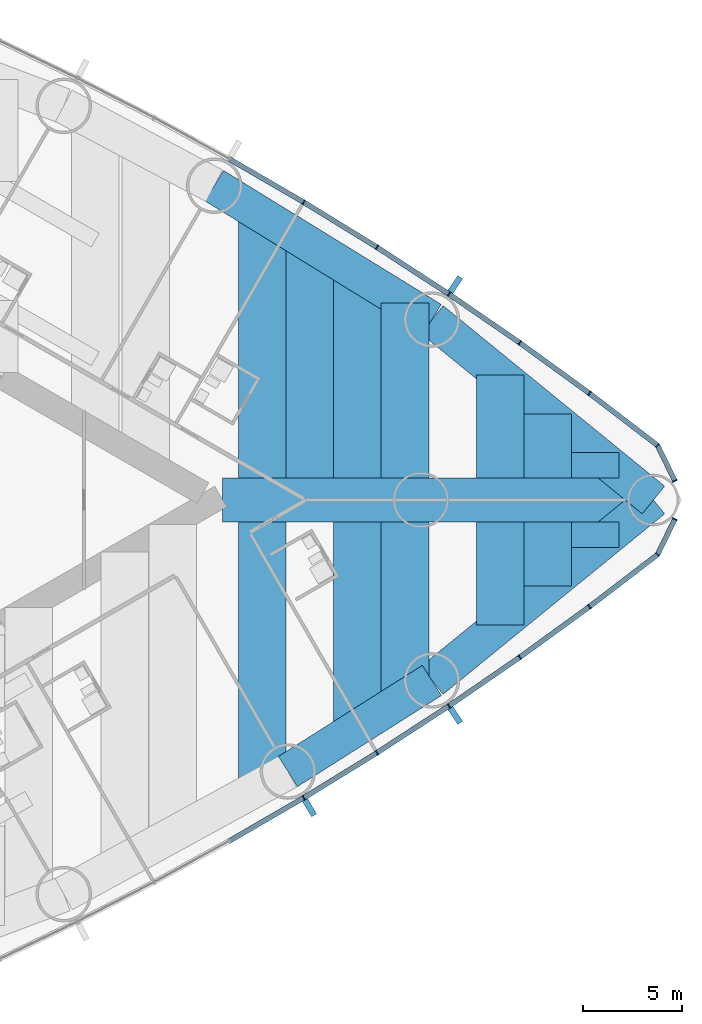
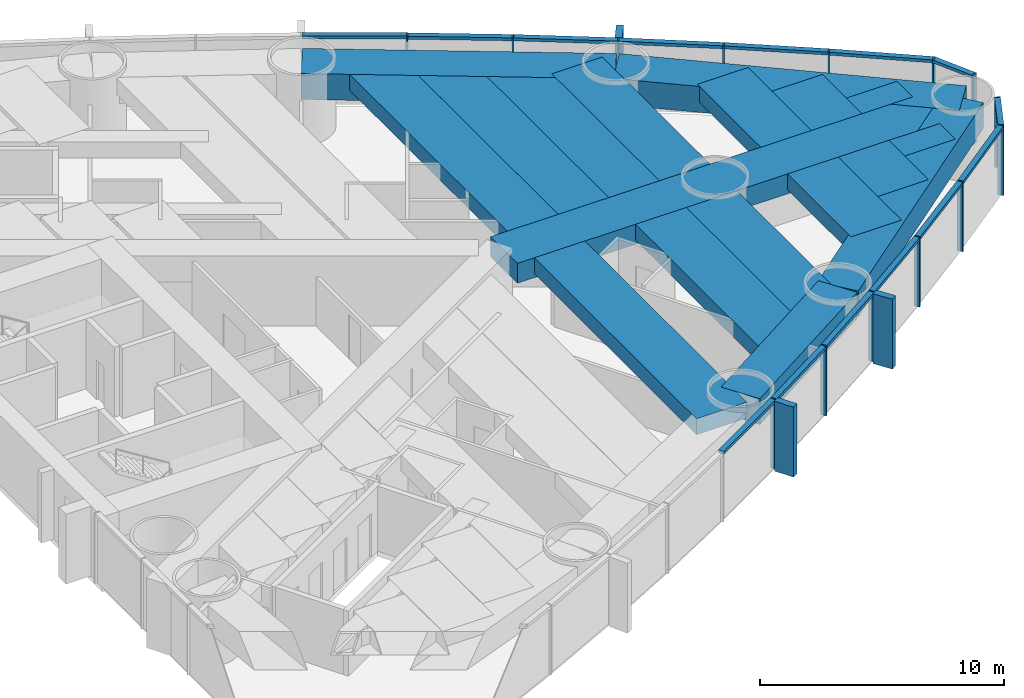
# One storey, part 8 of 19: 31 members, 18 beams, 2 elements without a shape of their own.
"""IFC4 building model written with IfcOpenShell, lengths in metres."""

from ifc_helpers import new_model, si_unit, direction, frame, origin, origin_2d, place, context, subcontext, project, spatial, rectangle, extrude, material, material_profile, profile_set, type_object, element, aggregate, save


model = new_model("IFC4")

# Units and contexts
model_context = context("Model", 3, precision=1e-05, world=origin(), true_north=direction((0.0, 1.0)))
body_context = subcontext(model_context, "Body", "Model", "MODEL_VIEW")
ifc_project = project(units=[si_unit("LENGTHUNIT", "METRE"), si_unit("AREAUNIT", "SQUARE_METRE"), si_unit("VOLUMEUNIT", "CUBIC_METRE"), si_unit("PLANEANGLEUNIT", "RADIAN"), si_unit("MASSUNIT", "GRAM", prefix="KILO")], contexts=[model_context])

# Site, building, storey
site_placement = place(None, origin())
site = spatial("IfcSite", under=ifc_project, at=site_placement, CompositionType="ELEMENT")
building_placement = place(site_placement, origin())
building = spatial("IfcBuilding", under=site, at=building_placement, Name="Lancet Gate Hotel", CompositionType="ELEMENT")
storey_placement = place(building_placement, frame((0.0, 0.0, 60.0)))
storey = spatial("IfcBuildingStorey", under=building, at=storey_placement, Name="L15", CompositionType="ELEMENT", Elevation=60.0)

# Curtain wall, members
ifc_material_1 = material(Name="Aluminium curtain wall", Category="aluminium")
curtain_wall_type = type_object("IfcCurtainWallType", Name="Tower unitised curtain wall", PredefinedType="USERDEFINED", material=ifc_material_1)
curtain_wall_1_placement = place(storey_placement, origin())
curtain_wall_1 = element("IfcCurtainWall", 1, at=curtain_wall_1_placement, inside=storey, type_object=curtain_wall_type, Name="T2 L15 curtain wall 2", ObjectType="UNITISED CURTAIN WALL", PredefinedType="USERDEFINED")
ifc_material_2 = material(Name="Aluminium mullion", Category="aluminium")
ifc_material_profile_1 = material_profile(ifc_material_2, rectangle(XDim=0.06494140625, YDim=0.25, at=origin_2d()), Name="MULLION 65x250")
ifc_profile_set_1 = profile_set([ifc_material_profile_1], Name="Aluminium mullion")
member_type_1 = type_object("IfcMemberType", Name="Aluminium mullion 65x250", PredefinedType="MULLION", material=ifc_profile_set_1)
member_1_placement = place(storey_placement, frame((55.590087890625, -15.03125, 0.0), z_axis=(0.0, 0.0, 1.0), x_axis=(0.858413008828, 0.512959166284, 0.0)))
member_1 = element("IfcMember", 2, at=member_1_placement, type_object=member_type_1, Name="T2 L15 curtain wall 2 mullion 8", PredefinedType="MULLION", context=body_context, shape_type="SweptSolid", body=[
    extrude(rectangle(XDim=0.06494140625, YDim=0.25, at=origin_2d()), origin(), (0.0, 0.0, 1.0), 3.5),
])
member_2_placement = place(storey_placement, frame((59.28515625, -12.7587890625, 0.0), z_axis=(0.0, 0.0, 1.0), x_axis=(0.845079420983, 0.534640788035, 0.0)))
member_2 = element("IfcMember", 3, at=member_2_placement, type_object=member_type_1, Name="T2 L15 curtain wall 2 mullion 9", PredefinedType="MULLION", context=body_context, shape_type="SweptSolid", body=[
    extrude(rectangle(XDim=0.06494140625, YDim=0.25, at=origin_2d()), origin(), (0.0, 0.0, 1.0), 3.5),
])
member_3_placement = place(storey_placement, frame((62.921142578125, -10.393310546875, 0.0), z_axis=(0.0, 0.0, 1.0), x_axis=(0.831198325377, 0.555976028162, 0.0)))
member_3 = element("IfcMember", 4, at=member_3_placement, type_object=member_type_1, Name="T2 L15 curtain wall 2 mullion 10", PredefinedType="MULLION", context=body_context, shape_type="SweptSolid", body=[
    extrude(rectangle(XDim=0.06494140625, YDim=0.25, at=origin_2d()), origin(), (0.0, 0.0, 1.0), 3.5),
])
member_4_placement = place(storey_placement, frame((66.49560546875, -7.935791015625, 0.0), z_axis=(0.0, 0.0, 1.0), x_axis=(0.816778715254, 0.576951064049, 0.0)))
member_4 = element("IfcMember", 5, at=member_4_placement, type_object=member_type_1, Name="T2 L15 curtain wall 2 mullion 11", PredefinedType="MULLION", context=body_context, shape_type="SweptSolid", body=[
    extrude(rectangle(XDim=0.06494140625, YDim=0.25, at=origin_2d()), origin(), (0.0, 0.0, 1.0), 3.5),
])
member_5_placement = place(storey_placement, frame((70.00634765625, -5.388427734375, 0.0), z_axis=(0.0, 0.0, 1.0), x_axis=(0.801829932754, 0.597552306447, 0.0)))
member_5 = element("IfcMember", 6, at=member_5_placement, type_object=member_type_1, Name="T2 L15 curtain wall 2 mullion 12", PredefinedType="MULLION", context=body_context, shape_type="SweptSolid", body=[
    extrude(rectangle(XDim=0.06494140625, YDim=0.25, at=origin_2d()), origin(), (0.0, 0.0, 1.0), 3.5),
])
member_6_placement = place(storey_placement, frame((73.451416015625, -2.752197265625, 0.0), z_axis=(0.0, 0.0, 1.0), x_axis=(0.697983022443, 0.716114306784, 0.0)))
member_6 = element("IfcMember", 7, at=member_6_placement, type_object=member_type_1, Name="T2 L15 curtain wall 2 mullion 13", PredefinedType="MULLION", context=body_context, shape_type="SweptSolid", body=[
    extrude(rectangle(XDim=0.06494140625, YDim=0.25, at=origin_2d()), origin(), (0.0, 0.0, 1.0), 3.5),
])
member_7_placement = place(storey_placement, frame((74.322265625, -0.96044921875, 0.0), z_axis=(0.0, 0.0, 1.0), x_axis=(0.437169070119, 0.899379343843, 0.0)))
member_7 = element("IfcMember", 8, at=member_7_placement, type_object=member_type_1, Name="T2 L15 curtain wall 2 mullion 14", PredefinedType="MULLION", context=body_context, shape_type="SweptSolid", body=[
    extrude(rectangle(XDim=0.06494140625, YDim=0.25, at=origin_2d()), origin(), (0.0, 0.0, 1.0), 3.5),
])

curtain_wall_2_placement = place(storey_placement, origin())
curtain_wall_2 = element("IfcCurtainWall", 9, at=curtain_wall_2_placement, inside=storey, type_object=curtain_wall_type, Name="T2 L15 curtain wall 3", ObjectType="UNITISED CURTAIN WALL", PredefinedType="USERDEFINED")
member_8_placement = place(storey_placement, frame((74.322265625, 0.96044921875, 0.0), z_axis=(0.0, 0.0, 1.0), x_axis=(-0.437169070119, 0.899379343843, 0.0)))
member_8 = element("IfcMember", 10, at=member_8_placement, type_object=member_type_1, Name="T2 L15 curtain wall 3 mullion 1", PredefinedType="MULLION", context=body_context, shape_type="SweptSolid", body=[
    extrude(rectangle(XDim=0.06494140625, YDim=0.25, at=origin_2d()), origin(), (0.0, 0.0, 1.0), 3.5),
])
member_9_placement = place(storey_placement, frame((73.451416015625, 2.752197265625, 0.0), z_axis=(0.0, 0.0, 1.0), x_axis=(-0.697983022443, 0.716114306784, 0.0)))
member_9 = element("IfcMember", 11, at=member_9_placement, type_object=member_type_1, Name="T2 L15 curtain wall 3 mullion 2", PredefinedType="MULLION", context=body_context, shape_type="SweptSolid", body=[
    extrude(rectangle(XDim=0.06494140625, YDim=0.25, at=origin_2d()), origin(), (0.0, 0.0, 1.0), 3.5),
])
member_10_placement = place(storey_placement, frame((70.00634765625, 5.388427734375, 0.0), z_axis=(0.0, 0.0, 1.0), x_axis=(-0.801829932754, 0.597552306447, 0.0)))
member_10 = element("IfcMember", 12, at=member_10_placement, type_object=member_type_1, Name="T2 L15 curtain wall 3 mullion 3", PredefinedType="MULLION", context=body_context, shape_type="SweptSolid", body=[
    extrude(rectangle(XDim=0.06494140625, YDim=0.25, at=origin_2d()), origin(), (0.0, 0.0, 1.0), 3.5),
])
member_11_placement = place(storey_placement, frame((66.49560546875, 7.935791015625, 0.0), z_axis=(0.0, 0.0, 1.0), x_axis=(-0.816778715254, 0.576951064049, 0.0)))
member_11 = element("IfcMember", 13, at=member_11_placement, type_object=member_type_1, Name="T2 L15 curtain wall 3 mullion 4", PredefinedType="MULLION", context=body_context, shape_type="SweptSolid", body=[
    extrude(rectangle(XDim=0.06494140625, YDim=0.25, at=origin_2d()), origin(), (0.0, 0.0, 1.0), 3.5),
])
member_12_placement = place(storey_placement, frame((62.921142578125, 10.393310546875, 0.0), z_axis=(0.0, 0.0, 1.0), x_axis=(-0.831198325377, 0.555976028162, 0.0)))
member_12 = element("IfcMember", 14, at=member_12_placement, type_object=member_type_1, Name="T2 L15 curtain wall 3 mullion 5", PredefinedType="MULLION", context=body_context, shape_type="SweptSolid", body=[
    extrude(rectangle(XDim=0.06494140625, YDim=0.25, at=origin_2d()), origin(), (0.0, 0.0, 1.0), 3.5),
])
member_13_placement = place(storey_placement, frame((59.28515625, 12.7587890625, 0.0), z_axis=(0.0, 0.0, 1.0), x_axis=(-0.845079420983, 0.534640788035, 0.0)))
member_13 = element("IfcMember", 15, at=member_13_placement, type_object=member_type_1, Name="T2 L15 curtain wall 3 mullion 6", PredefinedType="MULLION", context=body_context, shape_type="SweptSolid", body=[
    extrude(rectangle(XDim=0.06494140625, YDim=0.25, at=origin_2d()), origin(), (0.0, 0.0, 1.0), 3.5),
])
member_14_placement = place(storey_placement, frame((55.590087890625, 15.03125, 0.0), z_axis=(0.0, 0.0, 1.0), x_axis=(-0.858413008828, 0.512959166284, 0.0)))
member_14 = element("IfcMember", 16, at=member_14_placement, type_object=member_type_1, Name="T2 L15 curtain wall 3 mullion 7", PredefinedType="MULLION", context=body_context, shape_type="SweptSolid", body=[
    extrude(rectangle(XDim=0.06494140625, YDim=0.25, at=origin_2d()), origin(), (0.0, 0.0, 1.0), 3.5),
])

# Member
ifc_material_3 = material(Name="Aluminium transom", Category="aluminium")
ifc_material_profile_2 = material_profile(ifc_material_3, rectangle(XDim=0.25, YDim=0.14990234375, at=origin_2d()), Name="TRANSOM 250x150")
ifc_profile_set_2 = profile_set([ifc_material_profile_2], Name="Aluminium transom")
member_type_2 = type_object("IfcMemberType", Name="Aluminium transom 250x150", PredefinedType="USERDEFINED", material=ifc_profile_set_2)
member_15_placement = place(storey_placement, frame((51.86669921875, -17.1923828125, 3.425048828125), z_axis=(0.864854571156, 0.502022480324, 0.0), x_axis=(-0.502022480324, 0.864854571156, 0.0)))
member_15 = element("IfcMember", 17, at=member_15_placement, type_object=member_type_2, Name="T2 L15 curtain wall 2 transom 7", ObjectType="TRANSOM", PredefinedType="USERDEFINED", context=body_context, shape_type="SweptSolid", body=[
    extrude(rectangle(XDim=0.25, YDim=0.14990234375, at=origin_2d()), origin(), (0.0, 0.0, 1.0), 4.272705078125),
])

member_16_placement = place(storey_placement, frame((55.617919921875, -15.01416015625, 3.425048828125), z_axis=(0.851815224451, 0.523842365023, 0.0), x_axis=(-0.523842365023, 0.851815224451, 0.0)))
member_16 = element("IfcMember", 18, at=member_16_placement, type_object=member_type_2, Name="T2 L15 curtain wall 2 transom 8", ObjectType="TRANSOM", PredefinedType="USERDEFINED", context=body_context, shape_type="SweptSolid", body=[
    extrude(rectangle(XDim=0.25, YDim=0.14990234375, at=origin_2d()), origin(), (0.0, 0.0, 1.0), 4.272705078125),
])

member_17_placement = place(storey_placement, frame((59.3125, -12.7412109375, 3.425048828125), z_axis=(0.83817850664, 0.545395994674, 0.0), x_axis=(-0.545395994674, 0.83817850664, 0.0)))
member_17 = element("IfcMember", 19, at=member_17_placement, type_object=member_type_2, Name="T2 L15 curtain wall 2 transom 9", ObjectType="TRANSOM", PredefinedType="USERDEFINED", context=body_context, shape_type="SweptSolid", body=[
    extrude(rectangle(XDim=0.25, YDim=0.14990234375, at=origin_2d()), origin(), (0.0, 0.0, 1.0), 4.272705078125),
])

member_18_placement = place(storey_placement, frame((62.94775390625, -10.374755859375, 3.425048828125), z_axis=(0.824071932869, 0.566485171437, 0.0), x_axis=(-0.566485171437, 0.824071932869, 0.0)))
member_18 = element("IfcMember", 20, at=member_18_placement, type_object=member_type_2, Name="T2 L15 curtain wall 2 transom 10", ObjectType="TRANSOM", PredefinedType="USERDEFINED", context=body_context, shape_type="SweptSolid", body=[
    extrude(rectangle(XDim=0.25, YDim=0.14990234375, at=origin_2d()), origin(), (0.0, 0.0, 1.0), 4.272705078125),
])

member_19_placement = place(storey_placement, frame((66.52197265625, -7.916748046875, 3.425048828125), z_axis=(0.809382971085, 0.587281198505, 0.0), x_axis=(-0.587281198505, 0.809382971085, 0.0)))
member_19 = element("IfcMember", 21, at=member_19_placement, type_object=member_type_2, Name="T2 L15 curtain wall 2 transom 11", ObjectType="TRANSOM", PredefinedType="USERDEFINED", context=body_context, shape_type="SweptSolid", body=[
    extrude(rectangle(XDim=0.25, YDim=0.14990234375, at=origin_2d()), origin(), (0.0, 0.0, 1.0), 4.272705078125),
])

member_20_placement = place(storey_placement, frame((70.0322265625, -5.36865234375, 3.425048828125), z_axis=(0.794155062652, 0.607715177089, 0.0), x_axis=(-0.607715177089, 0.794155062652, 0.0)))
member_20 = element("IfcMember", 22, at=member_20_placement, type_object=member_type_2, Name="T2 L15 curtain wall 2 transom 12", ObjectType="TRANSOM", PredefinedType="USERDEFINED", context=body_context, shape_type="SweptSolid", body=[
    extrude(rectangle(XDim=0.25, YDim=0.14990234375, at=origin_2d()), origin(), (0.0, 0.0, 1.0), 4.27294921875),
])

member_21_placement = place(storey_placement, frame((73.465576171875, -2.72314453125, 3.425048828125), z_axis=(0.437103060611, 0.899411426659, 0.0), x_axis=(-0.899411426659, 0.437103060611, 0.0)))
member_21 = element("IfcMember", 23, at=member_21_placement, type_object=member_type_2, Name="T2 L15 curtain wall 2 transom 13", ObjectType="TRANSOM", PredefinedType="USERDEFINED", context=body_context, shape_type="SweptSolid", body=[
    extrude(rectangle(XDim=0.25, YDim=0.14990234375, at=origin_2d()), origin(), (0.0, 0.0, 1.0), 1.927490234375),
])

member_22_placement = place(storey_placement, frame((74.30810546875, 0.989501953125, 3.425048828125), z_axis=(-0.437103060611, 0.899411426659, 0.0), x_axis=(-0.899411426659, -0.437103060611, 0.0)))
member_22 = element("IfcMember", 24, at=member_22_placement, type_object=member_type_2, Name="T2 L15 curtain wall 3 transom 1", ObjectType="TRANSOM", PredefinedType="USERDEFINED", context=body_context, shape_type="SweptSolid", body=[
    extrude(rectangle(XDim=0.25, YDim=0.14990234375, at=origin_2d()), origin(), (0.0, 0.0, 1.0), 1.927490234375),
])

member_23_placement = place(storey_placement, frame((73.425537109375, 2.77197265625, 3.425048828125), z_axis=(-0.794155062652, 0.607715177089, 0.0), x_axis=(-0.607715177089, -0.794155062652, 0.0)))
member_23 = element("IfcMember", 25, at=member_23_placement, type_object=member_type_2, Name="T2 L15 curtain wall 3 transom 2", ObjectType="TRANSOM", PredefinedType="USERDEFINED", context=body_context, shape_type="SweptSolid", body=[
    extrude(rectangle(XDim=0.25, YDim=0.14990234375, at=origin_2d()), origin(), (0.0, 0.0, 1.0), 4.27294921875),
])

member_24_placement = place(storey_placement, frame((69.980224609375, 5.407470703125, 3.425048828125), z_axis=(-0.809382971085, 0.587281198505, 0.0), x_axis=(-0.587281198505, -0.809382971085, 0.0)))
member_24 = element("IfcMember", 26, at=member_24_placement, type_object=member_type_2, Name="T2 L15 curtain wall 3 transom 3", ObjectType="TRANSOM", PredefinedType="USERDEFINED", context=body_context, shape_type="SweptSolid", body=[
    extrude(rectangle(XDim=0.25, YDim=0.14990234375, at=origin_2d()), origin(), (0.0, 0.0, 1.0), 4.272705078125),
])

member_25_placement = place(storey_placement, frame((66.46875, 7.954345703125, 3.425048828125), z_axis=(-0.824071932869, 0.566485171437, 0.0), x_axis=(-0.566485171437, -0.824071932869, 0.0)))
member_25 = element("IfcMember", 27, at=member_25_placement, type_object=member_type_2, Name="T2 L15 curtain wall 3 transom 4", ObjectType="TRANSOM", PredefinedType="USERDEFINED", context=body_context, shape_type="SweptSolid", body=[
    extrude(rectangle(XDim=0.25, YDim=0.14990234375, at=origin_2d()), origin(), (0.0, 0.0, 1.0), 4.272705078125),
])

member_26_placement = place(storey_placement, frame((62.893798828125, 10.410888671875, 3.425048828125), z_axis=(-0.83817850664, 0.545395994674, 0.0), x_axis=(-0.545395994674, -0.83817850664, 0.0)))
member_26 = element("IfcMember", 28, at=member_26_placement, type_object=member_type_2, Name="T2 L15 curtain wall 3 transom 5", ObjectType="TRANSOM", PredefinedType="USERDEFINED", context=body_context, shape_type="SweptSolid", body=[
    extrude(rectangle(XDim=0.25, YDim=0.14990234375, at=origin_2d()), origin(), (0.0, 0.0, 1.0), 4.272705078125),
])

member_27_placement = place(storey_placement, frame((59.257568359375, 12.77587890625, 3.425048828125), z_axis=(-0.851815224451, 0.523842365023, 0.0), x_axis=(-0.523842365023, -0.851815224451, 0.0)))
member_27 = element("IfcMember", 29, at=member_27_placement, type_object=member_type_2, Name="T2 L15 curtain wall 3 transom 6", ObjectType="TRANSOM", PredefinedType="USERDEFINED", context=body_context, shape_type="SweptSolid", body=[
    extrude(rectangle(XDim=0.25, YDim=0.14990234375, at=origin_2d()), origin(), (0.0, 0.0, 1.0), 4.272705078125),
])

member_28_placement = place(storey_placement, frame((55.56201171875, 15.04736328125, 3.425048828125), z_axis=(-0.864854571156, 0.502022480324, 0.0), x_axis=(-0.502022480324, -0.864854571156, 0.0)))
member_28 = element("IfcMember", 30, at=member_28_placement, type_object=member_type_2, Name="T2 L15 curtain wall 3 transom 7", ObjectType="TRANSOM", PredefinedType="USERDEFINED", context=body_context, shape_type="SweptSolid", body=[
    extrude(rectangle(XDim=0.25, YDim=0.14990234375, at=origin_2d()), origin(), (0.0, 0.0, 1.0), 4.272705078125),
])

# Beams
ifc_material_4 = material(Name="Concrete C50/60", Category="concrete")
ifc_material_profile_3 = material_profile(ifc_material_4, rectangle(XDim=1.800048828125, YDim=1.300048828125, at=origin_2d()), Name="RC 1800x1300")
ifc_profile_set_3 = profile_set([ifc_material_profile_3], Name="Concrete C50/60")
beam_type_1 = type_object("IfcBeamType", Name="Edge beam RC 1800x1300", PredefinedType="SPANDREL", material=ifc_profile_set_3)
beam_1_placement = place(storey_placement, frame((54.795166015625, -13.70068359375, 2.60009765625), z_axis=(0.845078312276, 0.534642540508, 0.0), x_axis=(-0.534642540508, 0.845078312276, 0.0)))
element("IfcBeam", 31, at=beam_1_placement, inside=storey, type_object=beam_type_1, Name="T2 edge beam EB1 L15", PredefinedType="SPANDREL", context=body_context, shape_type="SweptSolid", body=[
    extrude(rectangle(XDim=1.800048828125, YDim=1.300048828125, at=origin_2d()), origin(), (0.0, 0.0, 1.0), 8.595947265625),
])
for number, where, z_axis, x_axis, name in (
    (32, (62.059326171875, -9.10498046875, 2.60009765625), (0.775390970005, 0.631481467372, 0.0), (-0.631481467372, 0.775390970005, 0.0), "T2 edge beam EB1 L15"),
    (33, (73.2392578125, 0.0, 2.60009765625), (-0.775390970005, 0.631481467372, 0.0), (-0.631481467372, -0.775390970005, 0.0), "T2 edge beam EB1 L15"),
):
    element("IfcBeam", number, at=place(storey_placement, frame(where, z_axis=z_axis, x_axis=x_axis)), inside=storey, type_object=beam_type_1, Name=name, PredefinedType="SPANDREL", context=body_context, shape_type="SweptSolid", body=[
        extrude(rectangle(XDim=1.800048828125, YDim=1.300048828125, at=origin_2d()), origin(), (0.0, 0.0, 1.0), 14.41845703125),
    ])
beam_2_placement = place(storey_placement, frame((62.059326171875, 9.10498046875, 2.60009765625), z_axis=(-0.851815628025, 0.523841708775, 0.0), x_axis=(-0.523841708775, -0.851815628025, 0.0)))
element("IfcBeam", 34, at=beam_2_placement, inside=storey, type_object=beam_type_1, Name="T2 edge beam EB1 L15", PredefinedType="SPANDREL", context=body_context, shape_type="SweptSolid", body=[
    extrude(rectangle(XDim=1.800048828125, YDim=1.300048828125, at=origin_2d()), origin(), (0.0, 0.0, 1.0), 12.89208984375),
])

# Member
ifc_material_5 = material(Name="Precast concrete C50/60", Category="concrete")
ifc_material_profile_4 = material_profile(ifc_material_5, rectangle(XDim=0.300048828125, YDim=0.89990234375, at=origin_2d()), Name="FIN 300x900")
ifc_profile_set_4 = profile_set([ifc_material_profile_4], Name="Precast concrete C50/60")
member_type_3 = type_object("IfcMemberType", Name="Exposed concrete fin 300x900", PredefinedType="USERDEFINED", material=ifc_profile_set_4)
member_29_placement = place(storey_placement, frame((55.88525390625, -15.524658203125, 0.0), z_axis=(0.0, 0.0, 1.0), x_axis=(0.858413008828, 0.512959166284, 0.0)))
member_29 = element("IfcMember", 35, at=member_29_placement, type_object=member_type_3, Name="T2 L15 curtain wall 2 fin 8", ObjectType="FIN", PredefinedType="USERDEFINED", context=body_context, shape_type="SweptSolid", body=[
    extrude(rectangle(XDim=0.300048828125, YDim=0.89990234375, at=origin_2d()), origin(), (0.0, 0.0, 1.0), 3.5),
])

member_30_placement = place(storey_placement, frame((63.24072265625, -10.87109375, 0.0), z_axis=(0.0, 0.0, 1.0), x_axis=(0.831198325377, 0.555976028162, 0.0)))
member_30 = element("IfcMember", 36, at=member_30_placement, type_object=member_type_3, Name="T2 L15 curtain wall 2 fin 10", ObjectType="FIN", PredefinedType="USERDEFINED", context=body_context, shape_type="SweptSolid", body=[
    extrude(rectangle(XDim=0.300048828125, YDim=0.89990234375, at=origin_2d()), origin(), (0.0, 0.0, 1.0), 3.5),
])

aggregate(curtain_wall_1, [member_1, member_29, member_2, member_3, member_30, member_4, member_5, member_6, member_7, member_15, member_16, member_17, member_18, member_19, member_20, member_21])

member_31_placement = place(storey_placement, frame((63.24072265625, 10.87109375, 0.0), z_axis=(0.0, 0.0, 1.0), x_axis=(-0.831198325377, 0.555976028162, 0.0)))
member_31 = element("IfcMember", 37, at=member_31_placement, type_object=member_type_3, Name="T2 L15 curtain wall 3 fin 5", ObjectType="FIN", PredefinedType="USERDEFINED", context=body_context, shape_type="SweptSolid", body=[
    extrude(rectangle(XDim=0.300048828125, YDim=0.89990234375, at=origin_2d()), origin(), (0.0, 0.0, 1.0), 3.5),
])

aggregate(curtain_wall_2, [member_8, member_9, member_10, member_11, member_12, member_31, member_13, member_14, member_22, member_23, member_24, member_25, member_26, member_27, member_28])

# Beams
ifc_material_6 = material(Name="Concrete C50/60", Category="concrete")
ifc_material_profile_5 = material_profile(ifc_material_6, rectangle(XDim=2.39990234375, YDim=0.800048828125, at=origin_2d()), Name="RC 2400x800")
ifc_profile_set_5 = profile_set([ifc_material_profile_5], Name="Concrete C50/60")
beam_type_2 = type_object("IfcBeamType", Name="Floor beam RC 2400x800", PredefinedType="BEAM", material=ifc_profile_set_5)
beam_3_placement = place(storey_placement, frame((53.502197265625, -14.40771484375, 2.85009765625), z_axis=(0.0, 1.0, 0.0), x_axis=(-1.0, 0.0, 0.0)))
element("IfcBeam", 38, at=beam_3_placement, inside=storey, type_object=beam_type_2, Name="T2 floor beam F16S L15", PredefinedType="BEAM", context=body_context, shape_type="SweptSolid", body=[
    extrude(rectangle(XDim=2.39990234375, YDim=0.800048828125, at=origin_2d()), origin(), (0.0, 0.0, 1.0), 13.3076171875),
])
beam_4_placement = place(storey_placement, frame((53.502197265625, 1.10009765625, 2.85009765625), z_axis=(0.0, 1.0, 0.0), x_axis=(-1.0, 0.0, 0.0)))
element("IfcBeam", 39, at=beam_4_placement, inside=storey, type_object=beam_type_2, Name="T2 floor beam F17N L15", PredefinedType="BEAM", context=body_context, shape_type="SweptSolid", body=[
    extrude(rectangle(XDim=2.39990234375, YDim=0.800048828125, at=origin_2d()), origin(), (0.0, 0.0, 1.0), 13.26708984375),
])
beam_5_placement = place(storey_placement, frame((55.90234375, 1.10009765625, 2.85009765625), z_axis=(0.0, 1.0, 0.0), x_axis=(-1.0, 0.0, 0.0)))
element("IfcBeam", 40, at=beam_5_placement, inside=storey, type_object=beam_type_2, Name="T2 floor beam F18N L15", PredefinedType="BEAM", context=body_context, shape_type="SweptSolid", body=[
    extrude(rectangle(XDim=2.39990234375, YDim=0.800048828125, at=origin_2d()), origin(), (0.0, 0.0, 1.0), 11.791259765625),
])
beam_6_placement = place(storey_placement, frame((58.30224609375, -11.48193359375, 2.85009765625), z_axis=(0.0, 1.0, 0.0), x_axis=(-1.0, 0.0, 0.0)))
element("IfcBeam", 41, at=beam_6_placement, inside=storey, type_object=beam_type_2, Name="T2 floor beam F19S L15", PredefinedType="BEAM", context=body_context, shape_type="SweptSolid", body=[
    extrude(rectangle(XDim=2.39990234375, YDim=0.800048828125, at=origin_2d()), origin(), (0.0, 0.0, 1.0), 10.3818359375),
])
beam_7_placement = place(storey_placement, frame((58.30224609375, 1.10009765625, 2.85009765625), z_axis=(0.0, 1.0, 0.0), x_axis=(-1.0, 0.0, 0.0)))
element("IfcBeam", 42, at=beam_7_placement, inside=storey, type_object=beam_type_2, Name="T2 floor beam F20N L15", PredefinedType="BEAM", context=body_context, shape_type="SweptSolid", body=[
    extrude(rectangle(XDim=2.39990234375, YDim=0.800048828125, at=origin_2d()), origin(), (0.0, 0.0, 1.0), 10.3154296875),
])
beam_8_placement = place(storey_placement, frame((60.7021484375, -9.96337890625, 2.85009765625), z_axis=(0.0, 1.0, 0.0), x_axis=(-1.0, 0.0, 0.0)))
element("IfcBeam", 43, at=beam_8_placement, inside=storey, type_object=beam_type_2, Name="T2 floor beam F21S L15", PredefinedType="BEAM", context=body_context, shape_type="SweptSolid", body=[
    extrude(rectangle(XDim=2.39990234375, YDim=0.800048828125, at=origin_2d()), origin(), (0.0, 0.0, 1.0), 8.86328125),
])
beam_9_placement = place(storey_placement, frame((60.7021484375, 1.10009765625, 2.85009765625), z_axis=(0.0, 1.0, 0.0), x_axis=(-1.0, 0.0, 0.0)))
element("IfcBeam", 44, at=beam_9_placement, inside=storey, type_object=beam_type_2, Name="T2 floor beam F22N L15", PredefinedType="BEAM", context=body_context, shape_type="SweptSolid", body=[
    extrude(rectangle(XDim=2.39990234375, YDim=0.800048828125, at=origin_2d()), origin(), (0.0, 0.0, 1.0), 8.83935546875),
])
for number, where, z_axis, x_axis, name in (
    (45, (65.502197265625, -6.301025390625, 2.85009765625), (0.0, 1.0, 0.0), (-1.0, 0.0, 0.0), "T2 floor beam F23S L15"),
    (46, (65.502197265625, 1.10009765625, 2.85009765625), (0.0, 1.0, 0.0), (-1.0, 0.0, 0.0), "T2 floor beam F24N L15"),
):
    element("IfcBeam", number, at=place(storey_placement, frame(where, z_axis=z_axis, x_axis=x_axis)), inside=storey, type_object=beam_type_2, Name=name, PredefinedType="BEAM", context=body_context, shape_type="SweptSolid", body=[
        extrude(rectangle(XDim=2.39990234375, YDim=0.800048828125, at=origin_2d()), origin(), (0.0, 0.0, 1.0), 5.200927734375),
    ])
for number, where, z_axis, x_axis, name in (
    (47, (67.90234375, -4.346435546875, 2.85009765625), (0.0, 1.0, 0.0), (-1.0, 0.0, 0.0), "T2 floor beam F25S L15"),
    (48, (67.90234375, 1.10009765625, 2.85009765625), (0.0, 1.0, 0.0), (-1.0, 0.0, 0.0), "T2 floor beam F26N L15"),
):
    element("IfcBeam", number, at=place(storey_placement, frame(where, z_axis=z_axis, x_axis=x_axis)), inside=storey, type_object=beam_type_2, Name=name, PredefinedType="BEAM", context=body_context, shape_type="SweptSolid", body=[
        extrude(rectangle(XDim=2.39990234375, YDim=0.800048828125, at=origin_2d()), origin(), (0.0, 0.0, 1.0), 3.246337890625),
    ])
for number, where, z_axis, x_axis, name in (
    (49, (70.30224609375, -2.391845703125, 2.85009765625), (0.0, 1.0, 0.0), (-1.0, 0.0, 0.0), "T2 floor beam F27S L15"),
    (50, (70.30224609375, 1.10009765625, 2.85009765625), (0.0, 1.0, 0.0), (-1.0, 0.0, 0.0), "T2 floor beam F28N L15"),
):
    element("IfcBeam", number, at=place(storey_placement, frame(where, z_axis=z_axis, x_axis=x_axis)), inside=storey, type_object=beam_type_2, Name=name, PredefinedType="BEAM", context=body_context, shape_type="SweptSolid", body=[
        extrude(rectangle(XDim=2.39990234375, YDim=0.800048828125, at=origin_2d()), origin(), (0.0, 0.0, 1.0), 1.291748046875),
    ])
ifc_material_7 = material(Name="Concrete C50/60", Category="concrete")
ifc_material_profile_6 = material_profile(ifc_material_7, rectangle(XDim=2.199951171875, YDim=1.0, at=origin_2d()), Name="RC 2200x1000")
ifc_profile_set_6 = profile_set([ifc_material_profile_6], Name="Concrete C50/60")
beam_type_3 = type_object("IfcBeamType", Name="Radial floor beam RC 2200x1000", PredefinedType="BEAM", material=ifc_profile_set_6)
beam_10_placement = place(storey_placement, frame((73.2392578125, 0.0, 2.75), z_axis=(-1.0, 0.0, 0.0), x_axis=(0.0, -1.0, 0.0)))
element("IfcBeam", 51, at=beam_10_placement, inside=storey, type_object=beam_type_3, Name="T2 radial beam CA L15", PredefinedType="BEAM", context=body_context, shape_type="SweptSolid", body=[
    extrude(rectangle(XDim=2.199951171875, YDim=1.0, at=origin_2d()), origin(), (0.0, 0.0, 1.0), 21.737060546875),
])

save(model, "model.ifc")
